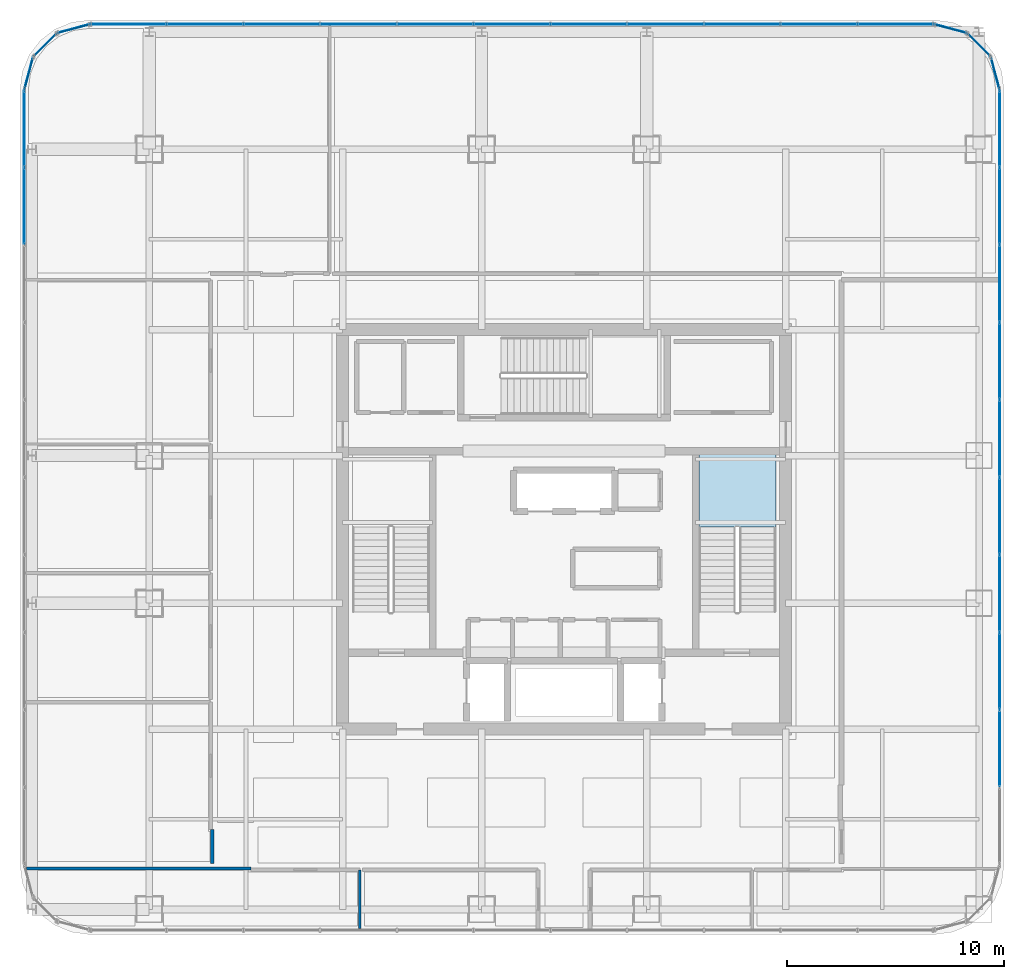
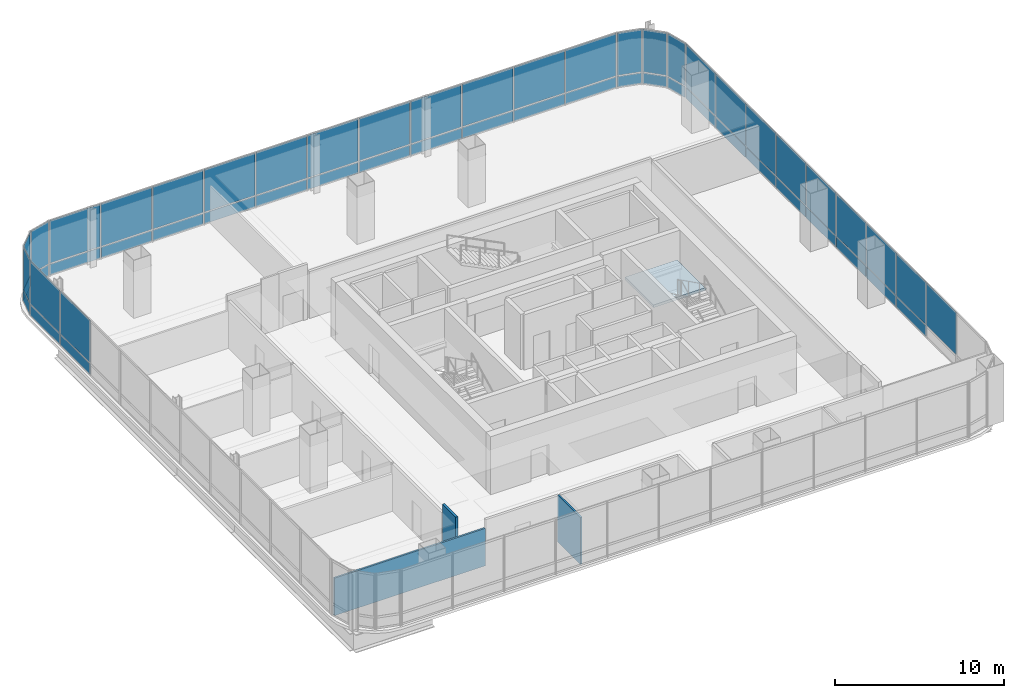
# One storey, part 33 of 42: 55 plates, 3 walls, 1 slab, 10 elements without a shape of their own.
"""IFC4 building model written with IfcOpenShell, lengths in metres."""

from ifc_helpers import new_model, si_unit, direction, frame, frame_2d, origin, origin_2d, place, context, subcontext, project, spatial, polyline, rectangle, outline, extrude, material, layer, layer_set, type_object, element, aggregate, save


model = new_model("IFC4")

# Units and contexts
model_context = context("Model", 3, precision=1e-05, world=origin(), true_north=direction((0.0, 1.0)))
body_context = subcontext(model_context, "Body", "Model", "MODEL_VIEW")
ifc_project = project(units=[si_unit("LENGTHUNIT", "METRE"), si_unit("AREAUNIT", "SQUARE_METRE"), si_unit("VOLUMEUNIT", "CUBIC_METRE"), si_unit("PLANEANGLEUNIT", "RADIAN"), si_unit("MASSUNIT", "GRAM", prefix="KILO")], contexts=[model_context])

# Site, building, storey
site_placement = place(None, origin())
site = spatial("IfcSite", under=ifc_project, at=site_placement, CompositionType="ELEMENT")
building_placement = place(site_placement, origin())
building = spatial("IfcBuilding", under=site, at=building_placement, Name="Punatoya Terracotta Tower", CompositionType="ELEMENT")
storey_placement = place(building_placement, frame((0.0, 0.0, 296.39990234375)))
storey = spatial("IfcBuildingStorey", under=building, at=storey_placement, Name="L70", CompositionType="ELEMENT", Elevation=296.39990234375)

# Curtain wall, plates
ifc_material_1 = material(Name="Aluminium 6063-T6 + Double Low-E Glass", Category="aluminium")
curtain_wall_type = type_object("IfcCurtainWallType", Name="CW-M3", PredefinedType="NOTDEFINED", material=ifc_material_1)
curtain_wall_1_placement = place(storey_placement, origin())
curtain_wall_1 = element("IfcCurtainWall", 1, at=curtain_wall_1_placement, inside=storey, type_object=curtain_wall_type, Name="L70 Curtain Wall CW-L70-E05-1", PredefinedType="NOTDEFINED")
ifc_material_2 = material(Name="Double Low-E Acoustic Vision Glass", Category="glass")
ifc_layer_1 = layer(ifc_material_2, 0.031982421875)
ifc_layer_set_1 = layer_set([ifc_layer_1], Name="Double Low-E Acoustic Vision Glass")
plate_type_1 = type_object("IfcPlateType", Name="PLT-GLZ-32", PredefinedType="CURTAIN_PANEL", material=ifc_layer_set_1)
plate_1_placement = place(storey_placement, frame((20.050048828125, -10.085693359375, 0.89013671875), z_axis=(0.0, 0.0, 1.0), x_axis=(0.0, 1.0, 0.0)))
plate_1 = element("IfcPlate", 2, at=plate_1_placement, type_object=plate_type_1, Name="CW-L70-E05-1 Vision Glass Panel 2", PredefinedType="CURTAIN_PANEL", context=body_context, shape_type="SweptSolid", body=[
    extrude(rectangle(XDim=3.482421875, YDim=0.031982421875, at=origin_2d()), origin(), (0.0, 0.0, 1.0), 3.070068359375),
])
plate_2_placement = place(storey_placement, frame((20.050048828125, -6.518310546875, 0.89013671875), z_axis=(0.0, 0.0, 1.0), x_axis=(0.0, 1.0, 0.0)))
plate_2 = element("IfcPlate", 3, at=plate_2_placement, type_object=plate_type_1, Name="CW-L70-E05-1 Vision Glass Panel 3", PredefinedType="CURTAIN_PANEL", context=body_context, shape_type="SweptSolid", body=[
    extrude(rectangle(XDim=3.482421875, YDim=0.031982421875, at=origin_2d()), origin(), (0.0, 0.0, 1.0), 3.070068359375),
])
plate_3_placement = place(storey_placement, frame((20.050048828125, -2.951171875, 0.89013671875), z_axis=(0.0, 0.0, 1.0), x_axis=(0.0, 1.0, 0.0)))
plate_3 = element("IfcPlate", 4, at=plate_3_placement, type_object=plate_type_1, Name="CW-L70-E05-1 Vision Glass Panel 4", PredefinedType="CURTAIN_PANEL", context=body_context, shape_type="SweptSolid", body=[
    extrude(rectangle(XDim=3.482421875, YDim=0.031982421875, at=origin_2d()), origin(), (0.0, 0.0, 1.0), 3.070068359375),
])
plate_4_placement = place(storey_placement, frame((20.050048828125, 0.6162109375, 0.89013671875), z_axis=(0.0, 0.0, 1.0), x_axis=(0.0, 1.0, 0.0)))
plate_4 = element("IfcPlate", 5, at=plate_4_placement, type_object=plate_type_1, Name="CW-L70-E05-1 Vision Glass Panel 5", PredefinedType="CURTAIN_PANEL", context=body_context, shape_type="SweptSolid", body=[
    extrude(rectangle(XDim=3.482421875, YDim=0.031982421875, at=origin_2d()), origin(), (0.0, 0.0, 1.0), 3.070068359375),
])
plate_5_placement = place(storey_placement, frame((20.050048828125, 4.18359375, 0.89013671875), z_axis=(0.0, 0.0, 1.0), x_axis=(0.0, 1.0, 0.0)))
plate_5 = element("IfcPlate", 6, at=plate_5_placement, type_object=plate_type_1, Name="CW-L70-E05-1 Vision Glass Panel 6", PredefinedType="CURTAIN_PANEL", context=body_context, shape_type="SweptSolid", body=[
    extrude(rectangle(XDim=3.482421875, YDim=0.031982421875, at=origin_2d()), origin(), (0.0, 0.0, 1.0), 3.070068359375),
])
plate_6_placement = place(storey_placement, frame((20.050048828125, 7.751220703125, 0.89013671875), z_axis=(0.0, 0.0, 1.0), x_axis=(0.0, 1.0, 0.0)))
plate_6 = element("IfcPlate", 7, at=plate_6_placement, type_object=plate_type_1, Name="CW-L70-E05-1 Vision Glass Panel 7", PredefinedType="CURTAIN_PANEL", context=body_context, shape_type="SweptSolid", body=[
    extrude(rectangle(XDim=3.482421875, YDim=0.031982421875, at=origin_2d()), origin(), (0.0, 0.0, 1.0), 3.070068359375),
])
plate_7_placement = place(storey_placement, frame((20.050048828125, 11.318359375, 0.89013671875), z_axis=(0.0, 0.0, 1.0), x_axis=(0.0, 1.0, 0.0)))
plate_7 = element("IfcPlate", 8, at=plate_7_placement, type_object=plate_type_1, Name="CW-L70-E05-1 Vision Glass Panel 8", PredefinedType="CURTAIN_PANEL", context=body_context, shape_type="SweptSolid", body=[
    extrude(rectangle(XDim=3.482421875, YDim=0.031982421875, at=origin_2d()), origin(), (0.0, 0.0, 1.0), 3.070068359375),
])
plate_8_placement = place(storey_placement, frame((20.050048828125, 14.8857421875, 0.89013671875), z_axis=(0.0, 0.0, 1.0), x_axis=(0.0, 1.0, 0.0)))
plate_8 = element("IfcPlate", 9, at=plate_8_placement, type_object=plate_type_1, Name="CW-L70-E05-1 Vision Glass Panel 9", PredefinedType="CURTAIN_PANEL", context=body_context, shape_type="SweptSolid", body=[
    extrude(rectangle(XDim=3.482421875, YDim=0.031982421875, at=origin_2d()), origin(), (0.0, 0.0, 1.0), 3.070068359375),
])
plate_9_placement = place(storey_placement, frame((20.050048828125, 18.453125, 0.89013671875), z_axis=(0.0, 0.0, 1.0), x_axis=(0.0, 1.0, 0.0)))
plate_9 = element("IfcPlate", 10, at=plate_9_placement, type_object=plate_type_1, Name="CW-L70-E05-1 Vision Glass Panel 10", PredefinedType="CURTAIN_PANEL", context=body_context, shape_type="SweptSolid", body=[
    extrude(rectangle(XDim=3.482421875, YDim=0.031982421875, at=origin_2d()), origin(), (0.0, 0.0, 1.0), 3.070068359375),
])

# Curtain wall, plate
curtain_wall_2_placement = place(storey_placement, origin())
curtain_wall_2 = element("IfcCurtainWall", 11, at=curtain_wall_2_placement, inside=storey, type_object=curtain_wall_type, Name="L70 Curtain Wall CW-L70-CRN06", PredefinedType="NOTDEFINED")
plate_10_placement = place(storey_placement, frame((19.848388671875, 20.992919921875, 0.89013671875), z_axis=(0.0, 0.0, 1.0), x_axis=(-0.257741620719, 0.966213877436, 0.0)))
plate_10 = element("IfcPlate", 12, at=plate_10_placement, type_object=plate_type_1, Name="CW-L70-CRN06 Vision Glass Panel 1", PredefinedType="CURTAIN_PANEL", context=body_context, shape_type="SweptSolid", body=[
    extrude(rectangle(XDim=1.47998046875, YDim=0.031982421875, at=origin_2d()), origin(), (0.0, 0.0, 1.0), 3.070068359375),
])

curtain_wall_3_placement = place(storey_placement, origin())
curtain_wall_3 = element("IfcCurtainWall", 13, at=curtain_wall_3_placement, inside=storey, type_object=curtain_wall_type, Name="L70 Curtain Wall CW-L70-CRN07", PredefinedType="NOTDEFINED")
plate_11_placement = place(storey_placement, frame((19.097900390625, 22.2978515625, 0.89013671875), z_axis=(0.0, 0.0, 1.0), x_axis=(-0.707106781187, 0.707106781187, 0.0)))
plate_11 = element("IfcPlate", 14, at=plate_11_placement, type_object=plate_type_1, Name="CW-L70-CRN07 Vision Glass Panel 1", PredefinedType="CURTAIN_PANEL", context=body_context, shape_type="SweptSolid", body=[
    extrude(rectangle(XDim=1.467041015625, YDim=0.031982421875, at=origin_2d()), origin(), (0.0, 0.0, 1.0), 3.070068359375),
])

curtain_wall_4_placement = place(storey_placement, origin())
curtain_wall_4 = element("IfcCurtainWall", 15, at=curtain_wall_4_placement, inside=storey, type_object=curtain_wall_type, Name="L70 Curtain Wall CW-L70-CRN08", PredefinedType="NOTDEFINED")
plate_12_placement = place(storey_placement, frame((17.79296875, 23.04833984375, 0.89013671875), z_axis=(0.0, 0.0, 1.0), x_axis=(-0.966213877436, 0.257741620719, 0.0)))
plate_12 = element("IfcPlate", 16, at=plate_12_placement, type_object=plate_type_1, Name="CW-L70-CRN08 Vision Glass Panel 1", PredefinedType="CURTAIN_PANEL", context=body_context, shape_type="SweptSolid", body=[
    extrude(rectangle(XDim=1.47998046875, YDim=0.031982421875, at=origin_2d()), origin(), (0.0, 0.0, 1.0), 3.070068359375),
])

# Curtain wall, plates
curtain_wall_5_placement = place(storey_placement, origin())
curtain_wall_5 = element("IfcCurtainWall", 17, at=curtain_wall_5_placement, inside=storey, type_object=curtain_wall_type, Name="L70 Curtain Wall CW-L70-N09-1", PredefinedType="NOTDEFINED")
plate_13_placement = place(storey_placement, frame((15.27001953125, 23.25, 0.89013671875), z_axis=(0.0, 0.0, 1.0), x_axis=(-1.0, 0.0, 0.0)))
plate_13 = element("IfcPlate", 18, at=plate_13_placement, type_object=plate_type_1, Name="CW-L70-N09-1 Vision Glass Panel 1", PredefinedType="CURTAIN_PANEL", context=body_context, shape_type="SweptSolid", body=[
    extrude(rectangle(XDim=3.448974609375, YDim=0.031982421875, at=origin_2d()), origin(), (0.0, 0.0, 1.0), 3.070068359375),
])
plate_14_placement = place(storey_placement, frame((11.73583984375, 23.25, 0.89013671875), z_axis=(0.0, 0.0, 1.0), x_axis=(-1.0, 0.0, 0.0)))
plate_14 = element("IfcPlate", 19, at=plate_14_placement, type_object=plate_type_1, Name="CW-L70-N09-1 Vision Glass Panel 2", PredefinedType="CURTAIN_PANEL", context=body_context, shape_type="SweptSolid", body=[
    extrude(rectangle(XDim=3.448974609375, YDim=0.031982421875, at=origin_2d()), origin(), (0.0, 0.0, 1.0), 3.070068359375),
])
plate_15_placement = place(storey_placement, frame((8.201904296875, 23.25, 0.89013671875), z_axis=(0.0, 0.0, 1.0), x_axis=(-1.0, 0.0, 0.0)))
plate_15 = element("IfcPlate", 20, at=plate_15_placement, type_object=plate_type_1, Name="CW-L70-N09-1 Vision Glass Panel 3", PredefinedType="CURTAIN_PANEL", context=body_context, shape_type="SweptSolid", body=[
    extrude(rectangle(XDim=3.448974609375, YDim=0.031982421875, at=origin_2d()), origin(), (0.0, 0.0, 1.0), 3.070068359375),
])
plate_16_placement = place(storey_placement, frame((4.66796875, 23.25, 0.89013671875), z_axis=(0.0, 0.0, 1.0), x_axis=(-1.0, 0.0, 0.0)))
plate_16 = element("IfcPlate", 21, at=plate_16_placement, type_object=plate_type_1, Name="CW-L70-N09-1 Vision Glass Panel 4", PredefinedType="CURTAIN_PANEL", context=body_context, shape_type="SweptSolid", body=[
    extrude(rectangle(XDim=3.448974609375, YDim=0.031982421875, at=origin_2d()), origin(), (0.0, 0.0, 1.0), 3.070068359375),
])
plate_17_placement = place(storey_placement, frame((1.134033203125, 23.25, 0.89013671875), z_axis=(0.0, 0.0, 1.0), x_axis=(-1.0, 0.0, 0.0)))
plate_17 = element("IfcPlate", 22, at=plate_17_placement, type_object=plate_type_1, Name="CW-L70-N09-1 Vision Glass Panel 5", PredefinedType="CURTAIN_PANEL", context=body_context, shape_type="SweptSolid", body=[
    extrude(rectangle(XDim=3.448974609375, YDim=0.031982421875, at=origin_2d()), origin(), (0.0, 0.0, 1.0), 3.070068359375),
])
plate_18_placement = place(storey_placement, frame((-2.39990234375, 23.25, 0.89013671875), z_axis=(0.0, 0.0, 1.0), x_axis=(-1.0, 0.0, 0.0)))
plate_18 = element("IfcPlate", 23, at=plate_18_placement, type_object=plate_type_1, Name="CW-L70-N09-1 Vision Glass Panel 6", PredefinedType="CURTAIN_PANEL", context=body_context, shape_type="SweptSolid", body=[
    extrude(rectangle(XDim=3.448974609375, YDim=0.031982421875, at=origin_2d()), origin(), (0.0, 0.0, 1.0), 3.070068359375),
])
plate_19_placement = place(storey_placement, frame((-5.93408203125, 23.25, 0.89013671875), z_axis=(0.0, 0.0, 1.0), x_axis=(-1.0, 0.0, 0.0)))
plate_19 = element("IfcPlate", 24, at=plate_19_placement, type_object=plate_type_1, Name="CW-L70-N09-1 Vision Glass Panel 7", PredefinedType="CURTAIN_PANEL", context=body_context, shape_type="SweptSolid", body=[
    extrude(rectangle(XDim=3.448974609375, YDim=0.031982421875, at=origin_2d()), origin(), (0.0, 0.0, 1.0), 3.070068359375),
])
plate_20_placement = place(storey_placement, frame((-9.468017578125, 23.25, 0.89013671875), z_axis=(0.0, 0.0, 1.0), x_axis=(-1.0, 0.0, 0.0)))
plate_20 = element("IfcPlate", 25, at=plate_20_placement, type_object=plate_type_1, Name="CW-L70-N09-1 Vision Glass Panel 8", PredefinedType="CURTAIN_PANEL", context=body_context, shape_type="SweptSolid", body=[
    extrude(rectangle(XDim=3.448974609375, YDim=0.031982421875, at=origin_2d()), origin(), (0.0, 0.0, 1.0), 3.070068359375),
])
plate_21_placement = place(storey_placement, frame((-13.001953125, 23.25, 0.89013671875), z_axis=(0.0, 0.0, 1.0), x_axis=(-1.0, 0.0, 0.0)))
plate_21 = element("IfcPlate", 26, at=plate_21_placement, type_object=plate_type_1, Name="CW-L70-N09-1 Vision Glass Panel 9", PredefinedType="CURTAIN_PANEL", context=body_context, shape_type="SweptSolid", body=[
    extrude(rectangle(XDim=3.448974609375, YDim=0.031982421875, at=origin_2d()), origin(), (0.0, 0.0, 1.0), 3.070068359375),
])
plate_22_placement = place(storey_placement, frame((-16.535888671875, 23.25, 0.89013671875), z_axis=(0.0, 0.0, 1.0), x_axis=(-1.0, 0.0, 0.0)))
plate_22 = element("IfcPlate", 27, at=plate_22_placement, type_object=plate_type_1, Name="CW-L70-N09-1 Vision Glass Panel 10", PredefinedType="CURTAIN_PANEL", context=body_context, shape_type="SweptSolid", body=[
    extrude(rectangle(XDim=3.448974609375, YDim=0.031982421875, at=origin_2d()), origin(), (0.0, 0.0, 1.0), 3.070068359375),
])
plate_23_placement = place(storey_placement, frame((-20.06982421875, 23.25, 0.89013671875), z_axis=(0.0, 0.0, 1.0), x_axis=(-1.0, 0.0, 0.0)))
plate_23 = element("IfcPlate", 28, at=plate_23_placement, type_object=plate_type_1, Name="CW-L70-N09-1 Vision Glass Panel 11", PredefinedType="CURTAIN_PANEL", context=body_context, shape_type="SweptSolid", body=[
    extrude(rectangle(XDim=3.448974609375, YDim=0.031982421875, at=origin_2d()), origin(), (0.0, 0.0, 1.0), 3.070068359375),
])

# Curtain wall, plate
curtain_wall_6_placement = place(storey_placement, origin())
curtain_wall_6 = element("IfcCurtainWall", 29, at=curtain_wall_6_placement, inside=storey, type_object=curtain_wall_type, Name="L70 Curtain Wall CW-L70-CRN10", PredefinedType="NOTDEFINED")
plate_24_placement = place(storey_placement, frame((-22.593017578125, 23.04833984375, 0.89013671875), z_axis=(0.0, 0.0, 1.0), x_axis=(-0.966213877436, -0.257741620719, 0.0)))
plate_24 = element("IfcPlate", 30, at=plate_24_placement, type_object=plate_type_1, Name="CW-L70-CRN10 Vision Glass Panel 1", PredefinedType="CURTAIN_PANEL", context=body_context, shape_type="SweptSolid", body=[
    extrude(rectangle(XDim=1.47998046875, YDim=0.031982421875, at=origin_2d()), origin(), (0.0, 0.0, 1.0), 3.070068359375),
])

curtain_wall_7_placement = place(storey_placement, origin())
curtain_wall_7 = element("IfcCurtainWall", 31, at=curtain_wall_7_placement, inside=storey, type_object=curtain_wall_type, Name="L70 Curtain Wall CW-L70-CRN11", PredefinedType="NOTDEFINED")
plate_25_placement = place(storey_placement, frame((-23.89794921875, 22.2978515625, 0.89013671875), z_axis=(0.0, 0.0, 1.0), x_axis=(-0.707106781187, -0.707106781187, 0.0)))
plate_25 = element("IfcPlate", 32, at=plate_25_placement, type_object=plate_type_1, Name="CW-L70-CRN11 Vision Glass Panel 1", PredefinedType="CURTAIN_PANEL", context=body_context, shape_type="SweptSolid", body=[
    extrude(rectangle(XDim=1.467041015625, YDim=0.031982421875, at=origin_2d()), origin(), (0.0, 0.0, 1.0), 3.070068359375),
])

curtain_wall_8_placement = place(storey_placement, origin())
curtain_wall_8 = element("IfcCurtainWall", 33, at=curtain_wall_8_placement, inside=storey, type_object=curtain_wall_type, Name="L70 Curtain Wall CW-L70-CRN12", PredefinedType="NOTDEFINED")
plate_26_placement = place(storey_placement, frame((-24.648193359375, 20.992919921875, 0.89013671875), z_axis=(0.0, 0.0, 1.0), x_axis=(-0.257741620719, -0.966213877436, 0.0)))
plate_26 = element("IfcPlate", 34, at=plate_26_placement, type_object=plate_type_1, Name="CW-L70-CRN12 Vision Glass Panel 1", PredefinedType="CURTAIN_PANEL", context=body_context, shape_type="SweptSolid", body=[
    extrude(rectangle(XDim=1.47998046875, YDim=0.031982421875, at=origin_2d()), origin(), (0.0, 0.0, 1.0), 3.070068359375),
])

# Curtain wall, plates
curtain_wall_9_placement = place(storey_placement, origin())
curtain_wall_9 = element("IfcCurtainWall", 35, at=curtain_wall_9_placement, inside=storey, type_object=curtain_wall_type, Name="L70 Curtain Wall CW-L70-W13-1", PredefinedType="NOTDEFINED")
plate_27_placement = place(storey_placement, frame((-24.85009765625, 18.453125, 0.89013671875), z_axis=(0.0, 0.0, 1.0), x_axis=(0.0, -1.0, 0.0)))
plate_27 = element("IfcPlate", 36, at=plate_27_placement, type_object=plate_type_1, Name="CW-L70-W13-1 Vision Glass Panel 1", PredefinedType="CURTAIN_PANEL", context=body_context, shape_type="SweptSolid", body=[
    extrude(rectangle(XDim=3.482421875, YDim=0.031982421875, at=origin_2d()), origin(), (0.0, 0.0, 1.0), 3.070068359375),
])
plate_28_placement = place(storey_placement, frame((-24.85009765625, 14.8857421875, 0.89013671875), z_axis=(0.0, 0.0, 1.0), x_axis=(0.0, -1.0, 0.0)))
plate_28 = element("IfcPlate", 37, at=plate_28_placement, type_object=plate_type_1, Name="CW-L70-W13-1 Vision Glass Panel 2", PredefinedType="CURTAIN_PANEL", context=body_context, shape_type="SweptSolid", body=[
    extrude(rectangle(XDim=3.482421875, YDim=0.031982421875, at=origin_2d()), origin(), (0.0, 0.0, 1.0), 3.070068359375),
])

# Plate
ifc_material_3 = material(Name="Insulated Terracotta-Backed Spandrel Panel", Category="masonry")
ifc_layer_2 = layer(ifc_material_3, 0.044921875)
ifc_layer_set_2 = layer_set([ifc_layer_2], Name="Insulated Terracotta-Backed Spandrel Panel")
plate_type_2 = type_object("IfcPlateType", Name="PLT-SPN-45", PredefinedType="CURTAIN_PANEL", material=ifc_layer_set_2)
plate_29_placement = place(storey_placement, frame((20.050048828125, -6.518310546875, 0.0400390625), z_axis=(0.0, 0.0, 1.0), x_axis=(0.0, 1.0, 0.0)))
plate_29 = element("IfcPlate", 38, at=plate_29_placement, type_object=plate_type_2, Name="CW-L70-E05-1 Terracotta Spandrel Panel 3", PredefinedType="CURTAIN_PANEL", context=body_context, shape_type="SweptSolid", body=[
    extrude(rectangle(XDim=3.482421875, YDim=0.044921875, at=origin_2d()), origin(), (0.0, 0.0, 1.0), 0.77490234375),
])

plate_30_placement = place(storey_placement, frame((20.050048828125, -2.951171875, 0.0400390625), z_axis=(0.0, 0.0, 1.0), x_axis=(0.0, 1.0, 0.0)))
plate_30 = element("IfcPlate", 39, at=plate_30_placement, type_object=plate_type_2, Name="CW-L70-E05-1 Terracotta Spandrel Panel 4", PredefinedType="CURTAIN_PANEL", context=body_context, shape_type="SweptSolid", body=[
    extrude(rectangle(XDim=3.482421875, YDim=0.044921875, at=origin_2d()), origin(), (0.0, 0.0, 1.0), 0.77490234375),
])

plate_31_placement = place(storey_placement, frame((20.050048828125, 0.6162109375, 0.0400390625), z_axis=(0.0, 0.0, 1.0), x_axis=(0.0, 1.0, 0.0)))
plate_31 = element("IfcPlate", 40, at=plate_31_placement, type_object=plate_type_2, Name="CW-L70-E05-1 Terracotta Spandrel Panel 5", PredefinedType="CURTAIN_PANEL", context=body_context, shape_type="SweptSolid", body=[
    extrude(rectangle(XDim=3.482421875, YDim=0.044921875, at=origin_2d()), origin(), (0.0, 0.0, 1.0), 0.77490234375),
])

plate_32_placement = place(storey_placement, frame((20.050048828125, 4.18359375, 0.0400390625), z_axis=(0.0, 0.0, 1.0), x_axis=(0.0, 1.0, 0.0)))
plate_32 = element("IfcPlate", 41, at=plate_32_placement, type_object=plate_type_2, Name="CW-L70-E05-1 Terracotta Spandrel Panel 6", PredefinedType="CURTAIN_PANEL", context=body_context, shape_type="SweptSolid", body=[
    extrude(rectangle(XDim=3.482421875, YDim=0.044921875, at=origin_2d()), origin(), (0.0, 0.0, 1.0), 0.77490234375),
])

plate_33_placement = place(storey_placement, frame((20.050048828125, 7.751220703125, 0.0400390625), z_axis=(0.0, 0.0, 1.0), x_axis=(0.0, 1.0, 0.0)))
plate_33 = element("IfcPlate", 42, at=plate_33_placement, type_object=plate_type_2, Name="CW-L70-E05-1 Terracotta Spandrel Panel 7", PredefinedType="CURTAIN_PANEL", context=body_context, shape_type="SweptSolid", body=[
    extrude(rectangle(XDim=3.482421875, YDim=0.044921875, at=origin_2d()), origin(), (0.0, 0.0, 1.0), 0.77490234375),
])

plate_34_placement = place(storey_placement, frame((20.050048828125, 11.318359375, 0.0400390625), z_axis=(0.0, 0.0, 1.0), x_axis=(0.0, 1.0, 0.0)))
plate_34 = element("IfcPlate", 43, at=plate_34_placement, type_object=plate_type_2, Name="CW-L70-E05-1 Terracotta Spandrel Panel 8", PredefinedType="CURTAIN_PANEL", context=body_context, shape_type="SweptSolid", body=[
    extrude(rectangle(XDim=3.482421875, YDim=0.044921875, at=origin_2d()), origin(), (0.0, 0.0, 1.0), 0.77490234375),
])

plate_35_placement = place(storey_placement, frame((20.050048828125, 14.8857421875, 0.0400390625), z_axis=(0.0, 0.0, 1.0), x_axis=(0.0, 1.0, 0.0)))
plate_35 = element("IfcPlate", 44, at=plate_35_placement, type_object=plate_type_2, Name="CW-L70-E05-1 Terracotta Spandrel Panel 9", PredefinedType="CURTAIN_PANEL", context=body_context, shape_type="SweptSolid", body=[
    extrude(rectangle(XDim=3.482421875, YDim=0.044921875, at=origin_2d()), origin(), (0.0, 0.0, 1.0), 0.77490234375),
])

plate_36_placement = place(storey_placement, frame((20.050048828125, 18.453125, 0.0400390625), z_axis=(0.0, 0.0, 1.0), x_axis=(0.0, 1.0, 0.0)))
plate_36 = element("IfcPlate", 45, at=plate_36_placement, type_object=plate_type_2, Name="CW-L70-E05-1 Terracotta Spandrel Panel 10", PredefinedType="CURTAIN_PANEL", context=body_context, shape_type="SweptSolid", body=[
    extrude(rectangle(XDim=3.482421875, YDim=0.044921875, at=origin_2d()), origin(), (0.0, 0.0, 1.0), 0.77490234375),
])

aggregate(curtain_wall_1, [plate_1, plate_29, plate_2, plate_30, plate_3, plate_31, plate_4, plate_32, plate_5, plate_33, plate_6, plate_34, plate_7, plate_35, plate_8, plate_36, plate_9])

plate_37_placement = place(storey_placement, frame((19.848388671875, 20.992919921875, 0.0400390625), z_axis=(0.0, 0.0, 1.0), x_axis=(-0.257741620719, 0.966213877436, 0.0)))
plate_37 = element("IfcPlate", 46, at=plate_37_placement, type_object=plate_type_2, Name="CW-L70-CRN06 Terracotta Spandrel Panel 1", PredefinedType="CURTAIN_PANEL", context=body_context, shape_type="SweptSolid", body=[
    extrude(rectangle(XDim=1.47998046875, YDim=0.044921875, at=origin_2d()), origin(), (0.0, 0.0, 1.0), 0.77490234375),
])

aggregate(curtain_wall_2, [plate_37, plate_10])

plate_38_placement = place(storey_placement, frame((19.097900390625, 22.2978515625, 0.0400390625), z_axis=(0.0, 0.0, 1.0), x_axis=(-0.707106781187, 0.707106781187, 0.0)))
plate_38 = element("IfcPlate", 47, at=plate_38_placement, type_object=plate_type_2, Name="CW-L70-CRN07 Terracotta Spandrel Panel 1", PredefinedType="CURTAIN_PANEL", context=body_context, shape_type="SweptSolid", body=[
    extrude(rectangle(XDim=1.467041015625, YDim=0.044921875, at=origin_2d()), origin(), (0.0, 0.0, 1.0), 0.77490234375),
])

aggregate(curtain_wall_3, [plate_38, plate_11])

plate_39_placement = place(storey_placement, frame((17.79296875, 23.04833984375, 0.0400390625), z_axis=(0.0, 0.0, 1.0), x_axis=(-0.966213877436, 0.257741620719, 0.0)))
plate_39 = element("IfcPlate", 48, at=plate_39_placement, type_object=plate_type_2, Name="CW-L70-CRN08 Terracotta Spandrel Panel 1", PredefinedType="CURTAIN_PANEL", context=body_context, shape_type="SweptSolid", body=[
    extrude(rectangle(XDim=1.47998046875, YDim=0.044921875, at=origin_2d()), origin(), (0.0, 0.0, 1.0), 0.77490234375),
])

aggregate(curtain_wall_4, [plate_39, plate_12])

plate_40_placement = place(storey_placement, frame((15.27001953125, 23.25, 0.0400390625), z_axis=(0.0, 0.0, 1.0), x_axis=(-1.0, 0.0, 0.0)))
plate_40 = element("IfcPlate", 49, at=plate_40_placement, type_object=plate_type_2, Name="CW-L70-N09-1 Terracotta Spandrel Panel 1", PredefinedType="CURTAIN_PANEL", context=body_context, shape_type="SweptSolid", body=[
    extrude(rectangle(XDim=3.448974609375, YDim=0.044921875, at=origin_2d()), origin(), (0.0, 0.0, 1.0), 0.77490234375),
])

plate_41_placement = place(storey_placement, frame((11.73583984375, 23.25, 0.0400390625), z_axis=(0.0, 0.0, 1.0), x_axis=(-1.0, 0.0, 0.0)))
plate_41 = element("IfcPlate", 50, at=plate_41_placement, type_object=plate_type_2, Name="CW-L70-N09-1 Terracotta Spandrel Panel 2", PredefinedType="CURTAIN_PANEL", context=body_context, shape_type="SweptSolid", body=[
    extrude(rectangle(XDim=3.448974609375, YDim=0.044921875, at=origin_2d()), origin(), (0.0, 0.0, 1.0), 0.77490234375),
])

plate_42_placement = place(storey_placement, frame((8.201904296875, 23.25, 0.0400390625), z_axis=(0.0, 0.0, 1.0), x_axis=(-1.0, 0.0, 0.0)))
plate_42 = element("IfcPlate", 51, at=plate_42_placement, type_object=plate_type_2, Name="CW-L70-N09-1 Terracotta Spandrel Panel 3", PredefinedType="CURTAIN_PANEL", context=body_context, shape_type="SweptSolid", body=[
    extrude(rectangle(XDim=3.448974609375, YDim=0.044921875, at=origin_2d()), origin(), (0.0, 0.0, 1.0), 0.77490234375),
])

plate_43_placement = place(storey_placement, frame((4.66796875, 23.25, 0.0400390625), z_axis=(0.0, 0.0, 1.0), x_axis=(-1.0, 0.0, 0.0)))
plate_43 = element("IfcPlate", 52, at=plate_43_placement, type_object=plate_type_2, Name="CW-L70-N09-1 Terracotta Spandrel Panel 4", PredefinedType="CURTAIN_PANEL", context=body_context, shape_type="SweptSolid", body=[
    extrude(rectangle(XDim=3.448974609375, YDim=0.044921875, at=origin_2d()), origin(), (0.0, 0.0, 1.0), 0.77490234375),
])

plate_44_placement = place(storey_placement, frame((1.134033203125, 23.25, 0.0400390625), z_axis=(0.0, 0.0, 1.0), x_axis=(-1.0, 0.0, 0.0)))
plate_44 = element("IfcPlate", 53, at=plate_44_placement, type_object=plate_type_2, Name="CW-L70-N09-1 Terracotta Spandrel Panel 5", PredefinedType="CURTAIN_PANEL", context=body_context, shape_type="SweptSolid", body=[
    extrude(rectangle(XDim=3.448974609375, YDim=0.044921875, at=origin_2d()), origin(), (0.0, 0.0, 1.0), 0.77490234375),
])

plate_45_placement = place(storey_placement, frame((-2.39990234375, 23.25, 0.0400390625), z_axis=(0.0, 0.0, 1.0), x_axis=(-1.0, 0.0, 0.0)))
plate_45 = element("IfcPlate", 54, at=plate_45_placement, type_object=plate_type_2, Name="CW-L70-N09-1 Terracotta Spandrel Panel 6", PredefinedType="CURTAIN_PANEL", context=body_context, shape_type="SweptSolid", body=[
    extrude(rectangle(XDim=3.448974609375, YDim=0.044921875, at=origin_2d()), origin(), (0.0, 0.0, 1.0), 0.77490234375),
])

plate_46_placement = place(storey_placement, frame((-5.93408203125, 23.25, 0.0400390625), z_axis=(0.0, 0.0, 1.0), x_axis=(-1.0, 0.0, 0.0)))
plate_46 = element("IfcPlate", 55, at=plate_46_placement, type_object=plate_type_2, Name="CW-L70-N09-1 Terracotta Spandrel Panel 7", PredefinedType="CURTAIN_PANEL", context=body_context, shape_type="SweptSolid", body=[
    extrude(rectangle(XDim=3.448974609375, YDim=0.044921875, at=origin_2d()), origin(), (0.0, 0.0, 1.0), 0.77490234375),
])

plate_47_placement = place(storey_placement, frame((-9.468017578125, 23.25, 0.0400390625), z_axis=(0.0, 0.0, 1.0), x_axis=(-1.0, 0.0, 0.0)))
plate_47 = element("IfcPlate", 56, at=plate_47_placement, type_object=plate_type_2, Name="CW-L70-N09-1 Terracotta Spandrel Panel 8", PredefinedType="CURTAIN_PANEL", context=body_context, shape_type="SweptSolid", body=[
    extrude(rectangle(XDim=3.448974609375, YDim=0.044921875, at=origin_2d()), origin(), (0.0, 0.0, 1.0), 0.77490234375),
])

plate_48_placement = place(storey_placement, frame((-13.001953125, 23.25, 0.0400390625), z_axis=(0.0, 0.0, 1.0), x_axis=(-1.0, 0.0, 0.0)))
plate_48 = element("IfcPlate", 57, at=plate_48_placement, type_object=plate_type_2, Name="CW-L70-N09-1 Terracotta Spandrel Panel 9", PredefinedType="CURTAIN_PANEL", context=body_context, shape_type="SweptSolid", body=[
    extrude(rectangle(XDim=3.448974609375, YDim=0.044921875, at=origin_2d()), origin(), (0.0, 0.0, 1.0), 0.77490234375),
])

plate_49_placement = place(storey_placement, frame((-16.535888671875, 23.25, 0.0400390625), z_axis=(0.0, 0.0, 1.0), x_axis=(-1.0, 0.0, 0.0)))
plate_49 = element("IfcPlate", 58, at=plate_49_placement, type_object=plate_type_2, Name="CW-L70-N09-1 Terracotta Spandrel Panel 10", PredefinedType="CURTAIN_PANEL", context=body_context, shape_type="SweptSolid", body=[
    extrude(rectangle(XDim=3.448974609375, YDim=0.044921875, at=origin_2d()), origin(), (0.0, 0.0, 1.0), 0.77490234375),
])

plate_50_placement = place(storey_placement, frame((-20.06982421875, 23.25, 0.0400390625), z_axis=(0.0, 0.0, 1.0), x_axis=(-1.0, 0.0, 0.0)))
plate_50 = element("IfcPlate", 59, at=plate_50_placement, type_object=plate_type_2, Name="CW-L70-N09-1 Terracotta Spandrel Panel 11", PredefinedType="CURTAIN_PANEL", context=body_context, shape_type="SweptSolid", body=[
    extrude(rectangle(XDim=3.448974609375, YDim=0.044921875, at=origin_2d()), origin(), (0.0, 0.0, 1.0), 0.77490234375),
])

aggregate(curtain_wall_5, [plate_40, plate_13, plate_41, plate_14, plate_42, plate_15, plate_43, plate_16, plate_44, plate_17, plate_45, plate_18, plate_46, plate_19, plate_47, plate_20, plate_48, plate_21, plate_49, plate_22, plate_50, plate_23])

plate_51_placement = place(storey_placement, frame((-22.593017578125, 23.04833984375, 0.0400390625), z_axis=(0.0, 0.0, 1.0), x_axis=(-0.966213877436, -0.257741620719, 0.0)))
plate_51 = element("IfcPlate", 60, at=plate_51_placement, type_object=plate_type_2, Name="CW-L70-CRN10 Terracotta Spandrel Panel 1", PredefinedType="CURTAIN_PANEL", context=body_context, shape_type="SweptSolid", body=[
    extrude(rectangle(XDim=1.47998046875, YDim=0.044921875, at=origin_2d()), origin(), (0.0, 0.0, 1.0), 0.77490234375),
])

aggregate(curtain_wall_6, [plate_51, plate_24])

plate_52_placement = place(storey_placement, frame((-23.89794921875, 22.2978515625, 0.0400390625), z_axis=(0.0, 0.0, 1.0), x_axis=(-0.707106781187, -0.707106781187, 0.0)))
plate_52 = element("IfcPlate", 61, at=plate_52_placement, type_object=plate_type_2, Name="CW-L70-CRN11 Terracotta Spandrel Panel 1", PredefinedType="CURTAIN_PANEL", context=body_context, shape_type="SweptSolid", body=[
    extrude(rectangle(XDim=1.467041015625, YDim=0.044921875, at=origin_2d()), origin(), (0.0, 0.0, 1.0), 0.77490234375),
])

aggregate(curtain_wall_7, [plate_52, plate_25])

plate_53_placement = place(storey_placement, frame((-24.648193359375, 20.992919921875, 0.0400390625), z_axis=(0.0, 0.0, 1.0), x_axis=(-0.257741620719, -0.966213877436, 0.0)))
plate_53 = element("IfcPlate", 62, at=plate_53_placement, type_object=plate_type_2, Name="CW-L70-CRN12 Terracotta Spandrel Panel 1", PredefinedType="CURTAIN_PANEL", context=body_context, shape_type="SweptSolid", body=[
    extrude(rectangle(XDim=1.47998046875, YDim=0.044921875, at=origin_2d()), origin(), (0.0, 0.0, 1.0), 0.77490234375),
])

aggregate(curtain_wall_8, [plate_53, plate_26])

plate_54_placement = place(storey_placement, frame((-24.85009765625, 18.453125, 0.0400390625), z_axis=(0.0, 0.0, 1.0), x_axis=(0.0, -1.0, 0.0)))
plate_54 = element("IfcPlate", 63, at=plate_54_placement, type_object=plate_type_2, Name="CW-L70-W13-1 Terracotta Spandrel Panel 1", PredefinedType="CURTAIN_PANEL", context=body_context, shape_type="SweptSolid", body=[
    extrude(rectangle(XDim=3.482421875, YDim=0.044921875, at=origin_2d()), origin(), (0.0, 0.0, 1.0), 0.77490234375),
])

plate_55_placement = place(storey_placement, frame((-24.85009765625, 14.8857421875, 0.0400390625), z_axis=(0.0, 0.0, 1.0), x_axis=(0.0, -1.0, 0.0)))
plate_55 = element("IfcPlate", 64, at=plate_55_placement, type_object=plate_type_2, Name="CW-L70-W13-1 Terracotta Spandrel Panel 2", PredefinedType="CURTAIN_PANEL", context=body_context, shape_type="SweptSolid", body=[
    extrude(rectangle(XDim=3.482421875, YDim=0.044921875, at=origin_2d()), origin(), (0.0, 0.0, 1.0), 0.77490234375),
])

aggregate(curtain_wall_9, [plate_54, plate_27, plate_55, plate_28])

# Stair, slab
ifc_material_4 = material(Name="Concrete C40/50", Category="concrete")
stair_type = type_object("IfcStairType", Name="STR-LOB-1650", PredefinedType="HALF_TURN_STAIR", material=ifc_material_4)
stair_placement = place(storey_placement, origin())
stair = element("IfcStair", 65, at=stair_placement, inside=storey, type_object=stair_type, Name="L70 Protected Core Exit Stair ST-2", PredefinedType="HALF_TURN_STAIR")
ifc_layer_3 = layer(ifc_material_4, 0.179931640625)
ifc_layer_set_3 = layer_set([ifc_layer_3], Name="Concrete C40/50")
slab_type = type_object("IfcSlabType", Name="SLB-LND-180", PredefinedType="LANDING", material=ifc_layer_set_3)
slab_placement = place(storey_placement, frame((0.0, 0.0, 1.900146484375)))
slab = element("IfcSlab", 66, at=slab_placement, type_object=slab_type, Name="ST-2 landing 1", PredefinedType="LANDING", context=body_context, shape_type="SweptSolid", body=[
    extrude(outline(polyline([(9.75, 0.10009765625), (9.75, 3.449951171875), (6.199951171875, 3.449951171875), (6.199951171875, 0.10009765625), (9.75, 0.10009765625)])), origin(), (0.0, 0.0, 1.0), 0.199951171875),
])
aggregate(stair, [slab])

# Walls
ifc_material_5 = material(Name="Gypsum Partition + Steel Stud", Category="steel")
ifc_layer_4 = layer(ifc_material_5, 0.1201171875)
ifc_layer_set_4 = layer_set([ifc_layer_4], Name="Gypsum Partition + Steel Stud")
wall_type_1 = type_object("IfcWallType", Name="WL-OFF-120", PredefinedType="PARTITIONING", material=ifc_layer_set_4)
wall_1_placement = place(storey_placement, frame((-24.74658203125, -15.610107421875, 0.0), z_axis=(0.0, 0.0, 1.0), x_axis=(1.0, 0.0, 0.0)))
element("IfcWall", 67, at=wall_1_placement, inside=storey, type_object=wall_type_1, Name="L70 Open-Plan Client Media Salon Partition 26", PredefinedType="PARTITIONING", context=body_context, shape_type="SweptSolid", body=[
    extrude(rectangle(XDim=10.32666015625, YDim=0.1201171875, at=frame_2d((5.163330078125, 0.0))), origin(), (0.0, 0.0, 1.0), 2.714111328125),
])
wall_2_placement = place(storey_placement, frame((-9.405029296875, -15.669921875, 0.0), z_axis=(0.0, 0.0, 1.0), x_axis=(0.0, -1.0, 0.0)))
element("IfcWall", 68, at=wall_2_placement, inside=storey, type_object=wall_type_1, Name="L70 Open-Plan Client Media Salon Partition 28", PredefinedType="PARTITIONING", context=body_context, shape_type="SweptSolid", body=[
    extrude(rectangle(XDim=2.7001953125, YDim=0.1201171875, at=frame_2d((1.35009765625, 0.0))), origin(), (0.0, 0.0, 1.0), 3.39404296875),
])
ifc_material_6 = material(Name="Masonry Blockwork + Ceramic Tile", Category="masonry")
ifc_layer_5 = layer(ifc_material_6, 0.159912109375)
ifc_layer_set_5 = layer_set([ifc_layer_5], Name="Masonry Blockwork + Ceramic Tile")
wall_type_2 = type_object("IfcWallType", Name="WL-WET-160", PredefinedType="PARTITIONING", material=ifc_layer_set_5)
wall_3_placement = place(storey_placement, frame((-16.2099609375, -13.820068359375, 0.0), z_axis=(0.0, 0.0, 1.0), x_axis=(0.0, -1.0, 0.0)))
element("IfcWall", 69, at=wall_3_placement, inside=storey, type_object=wall_type_2, Name="L70 Hospitality Tea Pantry Partition 38", PredefinedType="PARTITIONING", context=body_context, shape_type="SweptSolid", body=[
    extrude(rectangle(XDim=1.56982421875, YDim=0.159912109375, at=frame_2d((0.784912109375, 0.0))), origin(), (0.0, 0.0, 1.0), 4.0),
])

save(model, "model.ifc")
